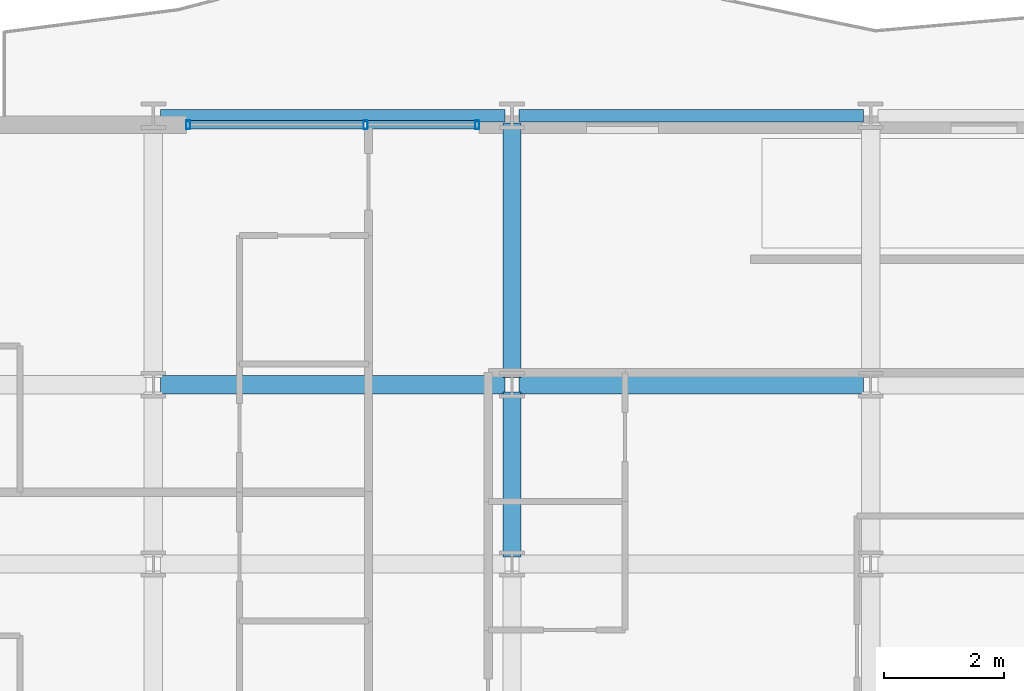
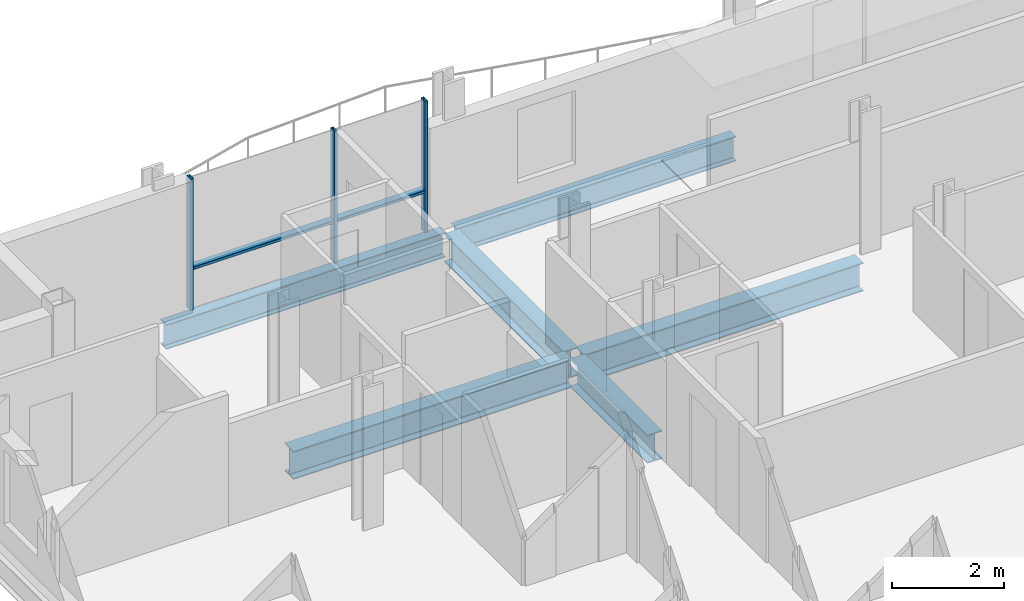
# One storey, part 7 of 39: 6 beams, 5 members, 1 element without a shape of its own.
"""IFC4 building model written with IfcOpenShell, lengths in metres."""

from ifc_helpers import new_model, si_unit, direction, frame, origin, origin_2d, place, context, subcontext, project, spatial, hollow_rectangle, i_section, extrude, material, layer, layer_set, material_profile, profile_set, type_object, element, aggregate, save


model = new_model("IFC4")

# Units and contexts
model_context = context("Model", 3, precision=1e-05, world=origin(), true_north=direction((0.0, 1.0)))
body_context = subcontext(model_context, "Body", "Model", "MODEL_VIEW")
ifc_project = project(units=[si_unit("LENGTHUNIT", "METRE"), si_unit("AREAUNIT", "SQUARE_METRE"), si_unit("VOLUMEUNIT", "CUBIC_METRE"), si_unit("PLANEANGLEUNIT", "RADIAN"), si_unit("MASSUNIT", "GRAM", prefix="KILO")], contexts=[model_context])

# Site, building, storey
site_placement = place(None, origin())
site = spatial("IfcSite", under=ifc_project, at=site_placement, CompositionType="ELEMENT")
building_placement = place(site_placement, origin())
building = spatial("IfcBuilding", under=site, at=building_placement, Name="Brevholm Reach", CompositionType="ELEMENT")
storey_placement = place(building_placement, frame((0.0, 0.0, 90.0)))
storey = spatial("IfcBuildingStorey", under=building, at=storey_placement, Name="L26", CompositionType="ELEMENT", Elevation=90.0)

# Beams
ifc_material_1 = material(Name="Structural Steel S355J2", Category="steel")
ifc_material_profile_1 = material_profile(ifc_material_1, i_section(OverallWidth=0.210693359375, OverallDepth=0.53955078125, WebThickness=0.01171875, FlangeThickness=0.018798828125, FilletRadius=0.0126953125, at=origin_2d()), Name="UKB 533x210x109")
ifc_profile_set_1 = profile_set([ifc_material_profile_1], Name="Structural Steel S355J2")
beam_type_1 = type_object("IfcBeamType", Name="BM-SP539", PredefinedType="SPANDREL", material=ifc_profile_set_1)
for number, where, z_axis, x_axis, name in (
    (1, (6.1201171875, 31.0, -0.499755859375), (1.0, 0.0, 0.0), (0.0, 1.0, 0.0), "L26 SP-01B Framing Beam"),
    (2, (12.1201171875, 31.0, -0.499755859375), (1.0, 0.0, 0.0), (0.0, 1.0, 0.0), "L26 SP-01B Framing Beam"),
):
    element("IfcBeam", number, at=place(storey_placement, frame(where, z_axis=z_axis, x_axis=x_axis)), inside=storey, type_object=beam_type_1, Name=name, PredefinedType="SPANDREL", context=body_context, shape_type="SweptSolid", body=[
        extrude(i_section(OverallWidth=0.210693359375, OverallDepth=0.53955078125, WebThickness=0.01171875, FlangeThickness=0.018798828125, FilletRadius=0.0126953125, at=origin_2d()), origin(), (0.0, 0.0, 1.0), 5.759765625),
    ])
ifc_material_2 = material(Name="Structural Steel S355J2", Category="steel")
ifc_material_profile_2 = material_profile(ifc_material_2, i_section(OverallWidth=0.30712890625, OverallDepth=0.6201171875, WebThickness=0.01416015625, FlangeThickness=0.023681640625, FilletRadius=0.0166015625, at=origin_2d()), Name="UKB 610x305x179")
ifc_profile_set_2 = profile_set([ifc_material_profile_2], Name="Structural Steel S355J2")
beam_type_2 = type_object("IfcBeamType", Name="BM-UKB610H", PredefinedType="USERDEFINED", material=ifc_profile_set_2)
for number, where, z_axis, x_axis, name in (
    (3, (6.1201171875, 26.5, -0.5400390625), (1.0, 0.0, 0.0), (0.0, 1.0, 0.0), "L26 G-06 Framing Beam"),
    (4, (12.1201171875, 26.5, -0.5400390625), (1.0, 0.0, 0.0), (0.0, 1.0, 0.0), "L26 G-06 Framing Beam"),
):
    element("IfcBeam", number, at=place(storey_placement, frame(where, z_axis=z_axis, x_axis=x_axis)), inside=storey, type_object=beam_type_2, Name=name, ObjectType="GIRDER", PredefinedType="USERDEFINED", context=body_context, shape_type="SweptSolid", body=[
        extrude(i_section(OverallWidth=0.30712890625, OverallDepth=0.6201171875, WebThickness=0.01416015625, FlangeThickness=0.023681640625, FilletRadius=0.0166015625, at=origin_2d()), origin(), (0.0, 0.0, 1.0), 5.759765625),
    ])
beam_1_placement = place(storey_placement, frame((12.0, 23.6201171875, -0.5400390625), z_axis=(0.0, 1.0, 0.0), x_axis=(-1.0, 0.0, 0.0)))
element("IfcBeam", 5, at=beam_1_placement, inside=storey, type_object=beam_type_2, Name="L26 G-06 Framing Beam", ObjectType="GIRDER", PredefinedType="USERDEFINED", context=body_context, shape_type="SweptSolid", body=[
    extrude(i_section(OverallWidth=0.30712890625, OverallDepth=0.6201171875, WebThickness=0.01416015625, FlangeThickness=0.023681640625, FilletRadius=0.0166015625, at=origin_2d()), origin(), (0.0, 0.0, 1.0), 2.759765625),
])
beam_2_placement = place(storey_placement, frame((12.0, 26.6201171875, -0.5400390625), z_axis=(0.0, 1.0, 0.0), x_axis=(-1.0, 0.0, 0.0)))
element("IfcBeam", 6, at=beam_2_placement, inside=storey, type_object=beam_type_2, Name="L26 G-06 Framing Beam", ObjectType="GIRDER", PredefinedType="USERDEFINED", context=body_context, shape_type="SweptSolid", body=[
    extrude(i_section(OverallWidth=0.30712890625, OverallDepth=0.6201171875, WebThickness=0.01416015625, FlangeThickness=0.023681640625, FilletRadius=0.0166015625, at=origin_2d()), origin(), (0.0, 0.0, 1.0), 4.259765625),
])

# Curtain wall, members
ifc_material_3 = material(Name="Dark Anodised Aluminium 6063-T6 and Solar-Control Glass", Category="aluminium")
ifc_layer = layer(ifc_material_3, 0.14990234375)
ifc_layer_set = layer_set([ifc_layer], Name="Dark Anodised Aluminium 6063-T6 and Solar-Control Glass")
curtain_wall_type = type_object("IfcCurtainWallType", Name="CW-01", PredefinedType="NOTDEFINED", material=ifc_layer_set)
curtain_wall_placement = place(storey_placement, origin())
curtain_wall = element("IfcCurtainWall", 7, at=curtain_wall_placement, inside=storey, type_object=curtain_wall_type, Name="L26 Curtain Wall CW-01", PredefinedType="NOTDEFINED")
ifc_material_4 = material(Name="Dark Anodised Aluminium 6063-T6", Category="aluminium")
ifc_material_profile_3 = material_profile(ifc_material_4, hollow_rectangle(XDim=0.06494140625, YDim=0.14990234375, WallThickness=0.0048828125, InnerFilletRadius=0.0048828125, OuterFilletRadius=0.010009765625, at=origin_2d()), Name="RHS 150x65x5")
ifc_profile_set_3 = profile_set([ifc_material_profile_3], Name="Dark Anodised Aluminium 6063-T6")
member_type_1 = type_object("IfcMemberType", Name="CWM-150", PredefinedType="MULLION", material=ifc_profile_set_3)
member_1_placement = place(storey_placement, frame((6.58251953125, 30.85009765625, 0.0), z_axis=(0.0, 0.0, 1.0), x_axis=(1.0, 0.0, 0.0)))
member_1 = element("IfcMember", 8, at=member_1_placement, type_object=member_type_1, Name="CM-150 Mullion 1", PredefinedType="MULLION", context=body_context, shape_type="SweptSolid", body=[
    extrude(hollow_rectangle(XDim=0.06494140625, YDim=0.14990234375, WallThickness=0.0048828125, InnerFilletRadius=0.0048828125, OuterFilletRadius=0.010009765625, at=origin_2d()), origin(), (0.0, 0.0, 1.0), 2.8701171875),
])
member_2_placement = place(storey_placement, frame((9.550048828125, 30.85009765625, 0.0), z_axis=(0.0, 0.0, 1.0), x_axis=(1.0, 0.0, 0.0)))
member_2 = element("IfcMember", 9, at=member_2_placement, type_object=member_type_1, Name="CM-150 Mullion 2", PredefinedType="MULLION", context=body_context, shape_type="SweptSolid", body=[
    extrude(hollow_rectangle(XDim=0.06494140625, YDim=0.14990234375, WallThickness=0.0048828125, InnerFilletRadius=0.0048828125, OuterFilletRadius=0.010009765625, at=origin_2d()), origin(), (0.0, 0.0, 1.0), 2.8701171875),
])
member_3_placement = place(storey_placement, frame((11.41748046875, 30.85009765625, 0.0), z_axis=(0.0, 0.0, 1.0), x_axis=(1.0, 0.0, 0.0)))
member_3 = element("IfcMember", 10, at=member_3_placement, type_object=member_type_1, Name="CM-150 Mullion 3", PredefinedType="MULLION", context=body_context, shape_type="SweptSolid", body=[
    extrude(hollow_rectangle(XDim=0.06494140625, YDim=0.14990234375, WallThickness=0.0048828125, InnerFilletRadius=0.0048828125, OuterFilletRadius=0.010009765625, at=origin_2d()), origin(), (0.0, 0.0, 1.0), 2.8701171875),
])
ifc_material_5 = material(Name="Dark Anodised Aluminium 6063-T6", Category="aluminium")
ifc_material_profile_4 = material_profile(ifc_material_5, hollow_rectangle(XDim=0.06494140625, YDim=0.14990234375, WallThickness=0.0048828125, InnerFilletRadius=0.0048828125, OuterFilletRadius=0.010009765625, at=origin_2d()), Name="RHS 150x65x5")
ifc_profile_set_4 = profile_set([ifc_material_profile_4], Name="Dark Anodised Aluminium 6063-T6")
member_type_2 = type_object("IfcMemberType", Name="CWT-150", PredefinedType="NOTDEFINED", material=ifc_profile_set_4)
member_4_placement = place(storey_placement, frame((6.614990234375, 30.85009765625, 0.89990234375), z_axis=(1.0, 0.0, 0.0), x_axis=(0.0, 0.0, 1.0)))
member_4 = element("IfcMember", 11, at=member_4_placement, type_object=member_type_2, Name="CT-150 Transom 1.1", ObjectType="TRANSOM", PredefinedType="USERDEFINED", context=body_context, shape_type="SweptSolid", body=[
    extrude(hollow_rectangle(XDim=0.06494140625, YDim=0.14990234375, WallThickness=0.0048828125, InnerFilletRadius=0.0048828125, OuterFilletRadius=0.010009765625, at=origin_2d()), origin(), (0.0, 0.0, 1.0), 2.902587890625),
])
member_5_placement = place(storey_placement, frame((9.58251953125, 30.85009765625, 0.89990234375), z_axis=(1.0, 0.0, 0.0), x_axis=(0.0, 0.0, 1.0)))
member_5 = element("IfcMember", 12, at=member_5_placement, type_object=member_type_2, Name="CT-150 Transom 2.1", ObjectType="TRANSOM", PredefinedType="USERDEFINED", context=body_context, shape_type="SweptSolid", body=[
    extrude(hollow_rectangle(XDim=0.06494140625, YDim=0.14990234375, WallThickness=0.0048828125, InnerFilletRadius=0.0048828125, OuterFilletRadius=0.010009765625, at=origin_2d()), origin(), (0.0, 0.0, 1.0), 1.802490234375),
])
aggregate(curtain_wall, [member_1, member_2, member_3, member_4, member_5])

save(model, "model.ifc")
